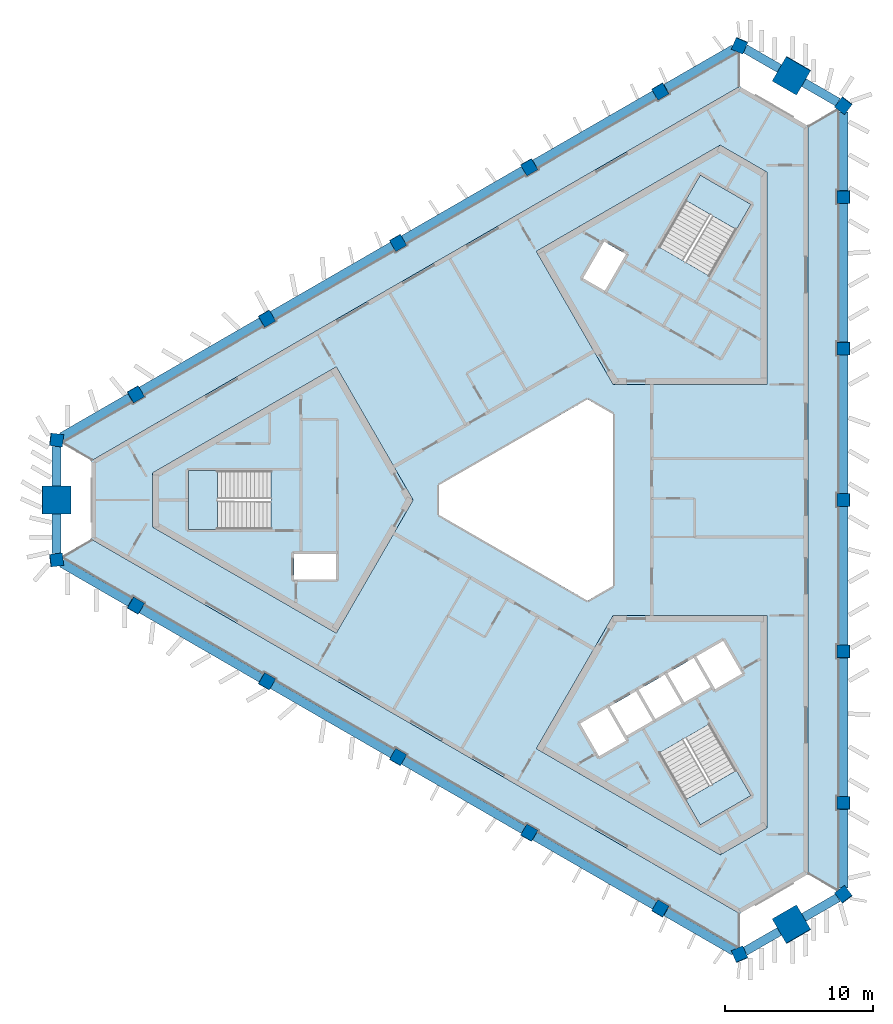
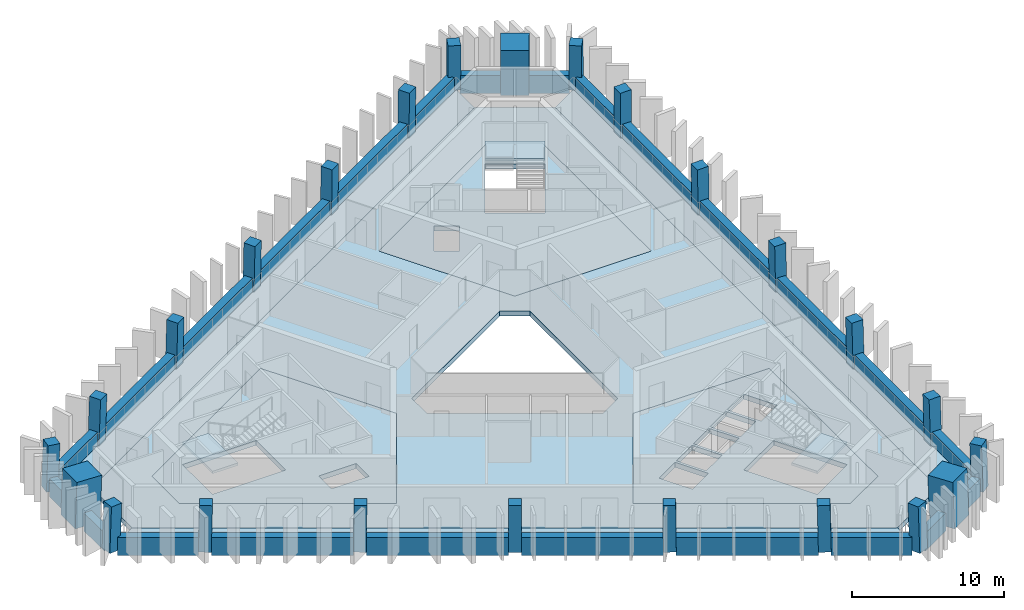
# One storey, part 1 of 9: 24 beams, 24 columns, 10 slabs, 3 elements without a shape of their own.
"""IFC4 building model written with IfcOpenShell, lengths in metres."""

from ifc_helpers import new_model, si_unit, direction, frame, origin, origin_2d, place, context, subcontext, project, spatial, polyline, rectangle, outline, extrude, material, layer, layer_set, material_profile, profile_set, type_object, element, aggregate, save


model = new_model("IFC4")

# Units and contexts
model_context = context("Model", 3, precision=1e-05, world=origin(), true_north=direction((0.0, 1.0)))
body_context = subcontext(model_context, "Body", "Model", "MODEL_VIEW")
ifc_project = project(units=[si_unit("LENGTHUNIT", "METRE"), si_unit("AREAUNIT", "SQUARE_METRE"), si_unit("VOLUMEUNIT", "CUBIC_METRE"), si_unit("PLANEANGLEUNIT", "RADIAN"), si_unit("MASSUNIT", "GRAM", prefix="KILO")], contexts=[model_context])

# Site, building, storey
site_placement = place(None, origin())
site = spatial("IfcSite", under=ifc_project, at=site_placement, CompositionType="ELEMENT")
building_placement = place(site_placement, origin())
building = spatial("IfcBuilding", under=site, at=building_placement, Name="Jabali Bay Hotel Tower and Convention Centre", CompositionType="ELEMENT")
storey_placement = place(building_placement, frame((0.0, 0.0, 228.0)))
storey = spatial("IfcBuildingStorey", under=building, at=storey_placement, Name="L56", CompositionType="ELEMENT", Elevation=228.0)

# Columns
ifc_material_1 = material(Name="Concrete C60", Category="concrete")
ifc_material_profile_1 = material_profile(ifc_material_1, rectangle(XDim=0.85009765625, YDim=0.85009765625, at=origin_2d()), Name="Frame column 850")
ifc_profile_set_1 = profile_set([ifc_material_profile_1], Name="Concrete C60")
column_type_1 = type_object("IfcColumnType", Name="Frame column 850", PredefinedType="COLUMN", material=ifc_profile_set_1)
column_1_placement = place(storey_placement, frame((82.68994140625, 107.594482421875, 0.0), z_axis=(-0.008376454378, -0.028163354484, 0.999568237028), x_axis=(0.865846453702, 0.49985452246, 0.021339517038)))
element("IfcColumn", 1, at=column_1_placement, inside=storey, type_object=column_type_1, Name="FC5 F1.1 L56", PredefinedType="COLUMN", context=body_context, shape_type="SweptSolid", body=[
    extrude(rectangle(XDim=0.85009765625, YDim=0.85009765625, at=origin_2d()), origin(), (0.0, 0.0, 1.0), 3.70166015625),
])
column_2_placement = place(storey_placement, frame((73.831787109375, 102.480224609375, 0.0), z_axis=(0.000857578916, -0.022824792675, 0.999739112668), x_axis=(0.866054521909, 0.499835716509, 0.010668719837)))
element("IfcColumn", 2, at=column_2_placement, inside=storey, type_object=column_type_1, Name="FC5 F1.2 L56", PredefinedType="COLUMN", context=body_context, shape_type="SweptSolid", body=[
    extrude(rectangle(XDim=0.85009765625, YDim=0.85009765625, at=origin_2d()), origin(), (0.0, 0.0, 1.0), 3.700927734375),
])
column_3_placement = place(storey_placement, frame((64.9736328125, 97.365966796875, 0.0), z_axis=(0.010093620709, -0.017482414954, 0.999796221231), x_axis=(-0.499891296978, 0.865852860014, 0.020187025823)))
element("IfcColumn", 3, at=column_3_placement, inside=storey, type_object=column_type_1, Name="FC5 F1.3 L56", PredefinedType="COLUMN", context=body_context, shape_type="SweptSolid", body=[
    extrude(rectangle(XDim=0.85009765625, YDim=0.85009765625, at=origin_2d()), origin(), (0.0, 0.0, 1.0), 3.70068359375),
])
column_4_placement = place(storey_placement, frame((56.11572265625, 92.251708984375, 0.0), z_axis=(0.019328516974, -0.012138044789, 0.999739504221), x_axis=(-0.500205614953, 0.865671455024, 0.020181048691)))
element("IfcColumn", 4, at=column_4_placement, inside=storey, type_object=column_type_1, Name="FC5 F1.4 L56", PredefinedType="COLUMN", context=body_context, shape_type="SweptSolid", body=[
    extrude(rectangle(XDim=0.85009765625, YDim=0.85009765625, at=origin_2d()), origin(), (0.0, 0.0, 1.0), 3.700927734375),
])
for number, where, z_axis, x_axis, name in (
    (5, (47.257568359375, 87.1376953125, 0.0), (0.028559101991, -0.006859460986, 0.999568569678), (-0.498515218099, 0.866645785643, 0.020190580742), "FC5 F1.5 L56"),
    (6, (47.257568359375, 72.8623046875, 0.0), (0.028559101991, 0.006859460986, 0.999568569678), (-0.866410384874, 0.498876768373, 0.021331079692), "FC5 F2.1 L56"),
):
    element("IfcColumn", number, at=place(storey_placement, frame(where, z_axis=z_axis, x_axis=x_axis)), inside=storey, type_object=column_type_1, Name=name, PredefinedType="COLUMN", context=body_context, shape_type="SweptSolid", body=[
        extrude(rectangle(XDim=0.85009765625, YDim=0.85009765625, at=origin_2d()), origin(), (0.0, 0.0, 1.0), 3.70166015625),
    ])
column_5_placement = place(storey_placement, frame((56.11572265625, 67.748291015625, 0.0), z_axis=(0.019328516974, 0.012138044789, 0.999739504221), x_axis=(-0.865690909737, 0.500465383244, 0.010660627254)))
element("IfcColumn", 7, at=column_5_placement, inside=storey, type_object=column_type_1, Name="FC5 F2.2 L56", PredefinedType="COLUMN", context=body_context, shape_type="SweptSolid", body=[
    extrude(rectangle(XDim=0.85009765625, YDim=0.85009765625, at=origin_2d()), origin(), (0.0, 0.0, 1.0), 3.700927734375),
])
column_6_placement = place(storey_placement, frame((64.9736328125, 62.634033203125, 0.0), z_axis=(0.010093620709, 0.017482414954, 0.999796221231), x_axis=(-0.866029335546, 0.499993189927, 2.83273e-07)))
element("IfcColumn", 8, at=column_6_placement, inside=storey, type_object=column_type_1, Name="FC5 F2.3 L56", PredefinedType="COLUMN", context=body_context, shape_type="SweptSolid", body=[
    extrude(rectangle(XDim=0.85009765625, YDim=0.85009765625, at=origin_2d()), origin(), (0.0, 0.0, 1.0), 3.70068359375),
])
column_7_placement = place(storey_placement, frame((73.831787109375, 57.519775390625, 0.0), z_axis=(0.000857578916, 0.022824792675, 0.999739112668), x_axis=(-0.499948827021, -0.865819429986, 0.020196163479)))
element("IfcColumn", 9, at=column_7_placement, inside=storey, type_object=column_type_1, Name="FC5 F2.4 L56", PredefinedType="COLUMN", context=body_context, shape_type="SweptSolid", body=[
    extrude(rectangle(XDim=0.85009765625, YDim=0.85009765625, at=origin_2d()), origin(), (0.0, 0.0, 1.0), 3.700927734375),
])
for number, where, z_axis, x_axis, name in (
    (10, (82.68994140625, 52.405517578125, 0.0), (-0.008376454378, 0.028163354484, 0.999568237028), (-0.500239696169, -0.865651362756, 0.020198132002), "FC5 F2.5 L56"),
    (11, (95.052490234375, 59.543212890625, 0.0), (-0.020182659751, 0.021303918626, 0.999569308901), (0.000228267203, -0.99977282903, 0.021312865295), "FC5 F0.1 L56"),
):
    element("IfcColumn", number, at=place(storey_placement, frame(where, z_axis=z_axis, x_axis=x_axis)), inside=storey, type_object=column_type_1, Name=name, PredefinedType="COLUMN", context=body_context, shape_type="SweptSolid", body=[
        extrude(rectangle(XDim=0.85009765625, YDim=0.85009765625, at=origin_2d()), origin(), (0.0, 0.0, 1.0), 3.70166015625),
    ])
column_8_placement = place(storey_placement, frame((95.052490234375, 69.771484375, 0.0), z_axis=(-0.020186088539, 0.010686752756, 0.999739123544), x_axis=(-0.001023376713, -0.999942568771, 0.010668264128)))
element("IfcColumn", 12, at=column_8_placement, inside=storey, type_object=column_type_1, Name="FC5 F0.2 L56", PredefinedType="COLUMN", context=body_context, shape_type="SweptSolid", body=[
    extrude(rectangle(XDim=0.85009765625, YDim=0.85009765625, at=origin_2d()), origin(), (0.0, 0.0, 1.0), 3.700927734375),
])
column_9_placement = place(storey_placement, frame((95.052490234375, 80.0, 0.0), z_axis=(-0.020187241331, 0.0, 0.99979621688), x_axis=(0.0, -1.0, 0.0)))
element("IfcColumn", 13, at=column_9_placement, inside=storey, type_object=column_type_1, Name="FC5 F0.3 L56", PredefinedType="COLUMN", context=body_context, shape_type="SweptSolid", body=[
    extrude(rectangle(XDim=0.85009765625, YDim=0.85009765625, at=origin_2d()), origin(), (0.0, 0.0, 1.0), 3.70068359375),
])
column_10_placement = place(storey_placement, frame((95.052490234375, 90.228515625, 0.0), z_axis=(-0.020186088539, -0.010686752756, 0.999739123544), x_axis=(0.999795716399, 0.000807759214, 0.020195865801)))
element("IfcColumn", 14, at=column_10_placement, inside=storey, type_object=column_type_1, Name="FC5 F0.4 L56", PredefinedType="COLUMN", context=body_context, shape_type="SweptSolid", body=[
    extrude(rectangle(XDim=0.85009765625, YDim=0.85009765625, at=origin_2d()), origin(), (0.0, 0.0, 1.0), 3.700927734375),
])
column_11_placement = place(storey_placement, frame((95.052490234375, 100.456787109375, 0.0), z_axis=(-0.020182659751, -0.021303918626, 0.999569308901), x_axis=(0.999796283319, -0.000658319199, 0.020173211851)))
element("IfcColumn", 15, at=column_11_placement, inside=storey, type_object=column_type_1, Name="FC5 F0.5 L56", PredefinedType="COLUMN", context=body_context, shape_type="SweptSolid", body=[
    extrude(rectangle(XDim=0.85009765625, YDim=0.85009765625, at=origin_2d()), origin(), (0.0, 0.0, 1.0), 3.70166015625),
])
for number, where, z_axis, x_axis, name in (
    (16, (95.052490234375, 53.361328125, 0.0), (-0.020178741915, 0.029015184452, 0.999375273581), (-0.79904700791, -0.601267102861, 0.001322939019), "FC5 V0 L56"),
    (17, (95.052490234375, 106.638671875, 0.0), (-0.020178741915, -0.029015184452, 0.999375273581), (0.600929860737, 0.798521126889, 0.035317310011), "FC5 V1 L56"),
    (18, (88.04345703125, 110.685302734375, 0.0), (-0.015035141917, -0.031982648376, 0.99937533225), (0.920271431083, -0.391278344003, 0.001323120386), "FC5 V2 L56"),
    (19, (41.904052734375, 84.046875, 0.0), (0.035213880193, -0.00303340541, 0.999375195356), (-0.991777132057, 0.123006715129, 0.03531951814), "FC5 V3 L56"),
    (20, (41.904052734375, 75.953125, 0.0), (0.035213880193, 0.00303340541, 0.999375195356), (-0.123036998379, 0.99240120238, 0.001323081612), "FC5 V4 L56"),
    (21, (88.04345703125, 49.314697265625, 0.0), (-0.015035141917, 0.031982648376, 0.99937533225), (0.390991608146, -0.919716460501, 0.035315643022), "FC5 V5 L56"),
):
    element("IfcColumn", number, at=place(storey_placement, frame(where, z_axis=z_axis, x_axis=x_axis)), inside=storey, type_object=column_type_1, Name=name, PredefinedType="COLUMN", context=body_context, shape_type="SweptSolid", body=[
        extrude(rectangle(XDim=0.85009765625, YDim=0.85009765625, at=origin_2d()), origin(), (0.0, 0.0, 1.0), 3.7021484375),
    ])
ifc_material_2 = material(Name="Concrete C70", Category="concrete")
ifc_material_profile_2 = material_profile(ifc_material_2, rectangle(XDim=1.89990234375, YDim=1.89990234375, at=origin_2d()), Name="Mega column 1900")
ifc_profile_set_2 = profile_set([ifc_material_profile_2], Name="Concrete C70")
column_type_2 = type_object("IfcColumnType", Name="Mega column 1900", PredefinedType="COLUMN", material=ifc_profile_set_2)
for number, where, z_axis, x_axis, name in (
    (22, (91.548095703125, 108.661865234375, 0.0), (-0.017607037296, -0.030466109479, 0.999380712447), (0.865812389079, -0.500368770925, 1.01334e-07), "MC5 M1 L56"),
    (23, (41.904052734375, 80.0, 0.0), (0.035214042205, 0.0, 0.999379793288), (0.0, 1.0, 0.0), "MC5 M0 L56"),
    (24, (91.548095703125, 51.338134765625, 0.0), (-0.017607037296, 0.030466109479, 0.999380712447), (0.500055571201, -0.865278125299, 0.035187946645), "MC5 M2 L56"),
):
    element("IfcColumn", number, at=place(storey_placement, frame(where, z_axis=z_axis, x_axis=x_axis)), inside=storey, type_object=column_type_2, Name=name, PredefinedType="COLUMN", context=body_context, shape_type="SweptSolid", body=[
        extrude(rectangle(XDim=1.89990234375, YDim=1.89990234375, at=origin_2d()), origin(), (0.0, 0.0, 1.0), 3.7021484375),
    ])

# Beams
ifc_material_profile_3 = material_profile(ifc_material_1, rectangle(XDim=0.60009765625, YDim=1.449951171875, at=origin_2d()), Name="Spandrel 600x1450")
ifc_profile_set_3 = profile_set([ifc_material_profile_3], Name="Concrete C60")
beam_type = type_object("IfcBeamType", Name="Spandrel 600x1450", PredefinedType="SPANDREL", material=ifc_profile_set_3)
beam_1_placement = place(storey_placement, frame((90.71875, 109.12548828125, 0.375), z_axis=(-0.866018138487, 0.500012583653, 0.0), x_axis=(-0.500012583653, -0.866018138487, 0.0)))
element("IfcBeam", 25, at=beam_1_placement, inside=storey, type_object=beam_type, Name="Spandrel M1-V2 L56", PredefinedType="SPANDREL", context=body_context, shape_type="SweptSolid", body=[
    extrude(rectangle(XDim=0.60009765625, YDim=1.449951171875, at=origin_2d()), origin(), (0.0, 0.0, 1.0), 2.6708984375),
])
beam_2_placement = place(storey_placement, frame((87.669677734375, 110.4609375, 0.375), z_axis=(-0.866007048156, -0.500031791534, 0.0), x_axis=(0.500031791534, -0.866007048156, 0.0)))
element("IfcBeam", 26, at=beam_2_placement, inside=storey, type_object=beam_type, Name="Spandrel V2-F1.1 L56", PredefinedType="SPANDREL", context=body_context, shape_type="SweptSolid", body=[
    extrude(rectangle(XDim=0.60009765625, YDim=1.449951171875, at=origin_2d()), origin(), (0.0, 0.0, 1.0), 5.328857421875),
])
beam_3_placement = place(storey_placement, frame((82.318603515625, 107.371337890625, 0.375), z_axis=(-0.866032491477, -0.499987723555, 0.0), x_axis=(0.499987723555, -0.866032491477, 0.0)))
element("IfcBeam", 27, at=beam_3_placement, inside=storey, type_object=beam_type, Name="Spandrel F1.1-F1.2 L56", PredefinedType="SPANDREL", context=body_context, shape_type="SweptSolid", body=[
    extrude(rectangle(XDim=0.60009765625, YDim=1.449951171875, at=origin_2d()), origin(), (0.0, 0.0, 1.0), 9.374267578125),
])
beam_4_placement = place(storey_placement, frame((73.464111328125, 102.25927734375, 0.375), z_axis=(-0.866027725137, -0.499995979278, 0.0), x_axis=(0.499995979278, -0.866027725137, 0.0)))
element("IfcBeam", 28, at=beam_4_placement, inside=storey, type_object=beam_type, Name="Spandrel F1.2-F1.3 L56", PredefinedType="SPANDREL", context=body_context, shape_type="SweptSolid", body=[
    extrude(rectangle(XDim=0.60009765625, YDim=1.449951171875, at=origin_2d()), origin(), (0.0, 0.0, 1.0), 9.37451171875),
])
beam_5_placement = place(storey_placement, frame((64.609375, 97.14697265625, 0.375), z_axis=(-0.866021214318, -0.500007256298, 0.0), x_axis=(0.500007256298, -0.866021214318, 0.0)))
element("IfcBeam", 29, at=beam_5_placement, inside=storey, type_object=beam_type, Name="Spandrel F1.3-F1.4 L56", PredefinedType="SPANDREL", context=body_context, shape_type="SweptSolid", body=[
    extrude(rectangle(XDim=0.60009765625, YDim=1.449951171875, at=origin_2d()), origin(), (0.0, 0.0, 1.0), 9.374267578125),
])
beam_6_placement = place(storey_placement, frame((55.7548828125, 92.03466796875, 0.375), z_axis=(-0.866039001872, -0.499976446681, 0.0), x_axis=(0.499976446681, -0.866039001872, 0.0)))
element("IfcBeam", 30, at=beam_6_placement, inside=storey, type_object=beam_type, Name="Spandrel F1.4-F1.5 L56", PredefinedType="SPANDREL", context=body_context, shape_type="SweptSolid", body=[
    extrude(rectangle(XDim=0.60009765625, YDim=1.449951171875, at=origin_2d()), origin(), (0.0, 0.0, 1.0), 9.37451171875),
])
beam_7_placement = place(storey_placement, frame((46.900146484375, 86.922607421875, 0.375), z_axis=(-0.866007048156, -0.500031791534, 0.0), x_axis=(0.500031791534, -0.866007048156, 0.0)))
element("IfcBeam", 31, at=beam_7_placement, inside=storey, type_object=beam_type, Name="Spandrel F1.5-V3 L56", PredefinedType="SPANDREL", context=body_context, shape_type="SweptSolid", body=[
    extrude(rectangle(XDim=0.60009765625, YDim=1.449951171875, at=origin_2d()), origin(), (0.0, 0.0, 1.0), 5.328857421875),
])
for number, where, z_axis, x_axis, name in (
    (32, (41.917236328125, 83.62060546875, 0.375), (0.0, -1.0, 0.0), (1.0, 0.0, 0.0), "Spandrel V3-M0 L56"),
    (33, (41.917236328125, 79.050048828125, 0.375), (0.0, -1.0, 0.0), (1.0, 0.0, 0.0), "Spandrel M0-V4 L56"),
):
    element("IfcBeam", number, at=place(storey_placement, frame(where, z_axis=z_axis, x_axis=x_axis)), inside=storey, type_object=beam_type, Name=name, PredefinedType="SPANDREL", context=body_context, shape_type="SweptSolid", body=[
        extrude(rectangle(XDim=0.60009765625, YDim=1.449951171875, at=origin_2d()), origin(), (0.0, 0.0, 1.0), 2.670654296875),
    ])
beam_8_placement = place(storey_placement, frame((42.285400390625, 75.741943359375, 0.375), z_axis=(0.866007048156, -0.500031791534, 0.0), x_axis=(0.500031791534, 0.866007048156, 0.0)))
element("IfcBeam", 34, at=beam_8_placement, inside=storey, type_object=beam_type, Name="Spandrel V4-F2.1 L56", PredefinedType="SPANDREL", context=body_context, shape_type="SweptSolid", body=[
    extrude(rectangle(XDim=0.60009765625, YDim=1.449951171875, at=origin_2d()), origin(), (0.0, 0.0, 1.0), 5.328857421875),
])
beam_9_placement = place(storey_placement, frame((47.63623046875, 72.65234375, 0.375), z_axis=(0.866039001872, -0.499976446681, 0.0), x_axis=(0.499976446681, 0.866039001872, 0.0)))
element("IfcBeam", 35, at=beam_9_placement, inside=storey, type_object=beam_type, Name="Spandrel F2.1-F2.2 L56", PredefinedType="SPANDREL", context=body_context, shape_type="SweptSolid", body=[
    extrude(rectangle(XDim=0.60009765625, YDim=1.449951171875, at=origin_2d()), origin(), (0.0, 0.0, 1.0), 9.37451171875),
])
beam_10_placement = place(storey_placement, frame((56.490966796875, 67.540283203125, 0.375), z_axis=(0.866021214318, -0.500007256298, 0.0), x_axis=(0.500007256298, 0.866021214318, 0.0)))
element("IfcBeam", 36, at=beam_10_placement, inside=storey, type_object=beam_type, Name="Spandrel F2.2-F2.3 L56", PredefinedType="SPANDREL", context=body_context, shape_type="SweptSolid", body=[
    extrude(rectangle(XDim=0.60009765625, YDim=1.449951171875, at=origin_2d()), origin(), (0.0, 0.0, 1.0), 9.374267578125),
])
beam_11_placement = place(storey_placement, frame((65.345458984375, 62.427978515625, 0.375), z_axis=(0.866027725137, -0.499995979278, 0.0), x_axis=(0.499995979278, 0.866027725137, 0.0)))
element("IfcBeam", 37, at=beam_11_placement, inside=storey, type_object=beam_type, Name="Spandrel F2.3-F2.4 L56", PredefinedType="SPANDREL", context=body_context, shape_type="SweptSolid", body=[
    extrude(rectangle(XDim=0.60009765625, YDim=1.449951171875, at=origin_2d()), origin(), (0.0, 0.0, 1.0), 9.37451171875),
])
beam_12_placement = place(storey_placement, frame((74.2001953125, 57.315673828125, 0.375), z_axis=(0.866032491477, -0.499987723555, 0.0), x_axis=(0.499987723555, 0.866032491477, 0.0)))
element("IfcBeam", 38, at=beam_12_placement, inside=storey, type_object=beam_type, Name="Spandrel F2.4-F2.5 L56", PredefinedType="SPANDREL", context=body_context, shape_type="SweptSolid", body=[
    extrude(rectangle(XDim=0.60009765625, YDim=1.449951171875, at=origin_2d()), origin(), (0.0, 0.0, 1.0), 9.374267578125),
])
beam_13_placement = place(storey_placement, frame((83.054931640625, 52.20361328125, 0.375), z_axis=(0.866007048156, -0.500031791534, 0.0), x_axis=(0.500031791534, 0.866007048156, 0.0)))
element("IfcBeam", 39, at=beam_13_placement, inside=storey, type_object=beam_type, Name="Spandrel F2.5-V5 L56", PredefinedType="SPANDREL", context=body_context, shape_type="SweptSolid", body=[
    extrude(rectangle(XDim=0.60009765625, YDim=1.449951171875, at=origin_2d()), origin(), (0.0, 0.0, 1.0), 5.328857421875),
])
for number, where, z_axis, x_axis, name in (
    (40, (88.40576171875, 49.5390625, 0.375), (0.866018138487, 0.500012583653, 0.0), (-0.500012583653, 0.866018138487, 0.0), "Spandrel V5-M2 L56"),
    (41, (92.364013671875, 51.824462890625, 0.375), (0.866018138487, 0.500012583653, 0.0), (-0.500012583653, 0.866018138487, 0.0), "Spandrel M2-V0 L56"),
):
    element("IfcBeam", number, at=place(storey_placement, frame(where, z_axis=z_axis, x_axis=x_axis)), inside=storey, type_object=beam_type, Name=name, PredefinedType="SPANDREL", context=body_context, shape_type="SweptSolid", body=[
        extrude(rectangle(XDim=0.60009765625, YDim=1.449951171875, at=origin_2d()), origin(), (0.0, 0.0, 1.0), 2.6708984375),
    ])
beam_14_placement = place(storey_placement, frame((95.044921875, 53.79736328125, 0.375), z_axis=(0.0, 1.0, 0.0), x_axis=(-1.0, 0.0, 0.0)))
element("IfcBeam", 42, at=beam_14_placement, inside=storey, type_object=beam_type, Name="Spandrel V0-F0.1 L56", PredefinedType="SPANDREL", context=body_context, shape_type="SweptSolid", body=[
    extrude(rectangle(XDim=0.60009765625, YDim=1.449951171875, at=origin_2d()), origin(), (0.0, 0.0, 1.0), 5.328857421875),
])
for number, where, z_axis, x_axis, name in (
    (43, (95.044921875, 59.97607421875, 0.375), (0.0, 1.0, 0.0), (-1.0, 0.0, 0.0), "Spandrel F0.1-F0.2 L56"),
    (44, (95.044921875, 70.200439453125, 0.375), (0.0, 1.0, 0.0), (-1.0, 0.0, 0.0), "Spandrel F0.2-F0.3 L56"),
    (45, (95.044921875, 80.425048828125, 0.375), (0.0, 1.0, 0.0), (-1.0, 0.0, 0.0), "Spandrel F0.3-F0.4 L56"),
    (46, (95.044921875, 90.6494140625, 0.375), (0.0, 1.0, 0.0), (-1.0, 0.0, 0.0), "Spandrel F0.4-F0.5 L56"),
):
    element("IfcBeam", number, at=place(storey_placement, frame(where, z_axis=z_axis, x_axis=x_axis)), inside=storey, type_object=beam_type, Name=name, PredefinedType="SPANDREL", context=body_context, shape_type="SweptSolid", body=[
        extrude(rectangle(XDim=0.60009765625, YDim=1.449951171875, at=origin_2d()), origin(), (0.0, 0.0, 1.0), 9.37451171875),
    ])
beam_15_placement = place(storey_placement, frame((95.044921875, 100.873779296875, 0.375), z_axis=(0.0, 1.0, 0.0), x_axis=(-1.0, 0.0, 0.0)))
element("IfcBeam", 47, at=beam_15_placement, inside=storey, type_object=beam_type, Name="Spandrel F0.5-V1 L56", PredefinedType="SPANDREL", context=body_context, shape_type="SweptSolid", body=[
    extrude(rectangle(XDim=0.60009765625, YDim=1.449951171875, at=origin_2d()), origin(), (0.0, 0.0, 1.0), 5.328857421875),
])
beam_16_placement = place(storey_placement, frame((94.677001953125, 106.840087890625, 0.375), z_axis=(-0.866018138487, 0.500012583653, 0.0), x_axis=(-0.500012583653, -0.866018138487, 0.0)))
element("IfcBeam", 48, at=beam_16_placement, inside=storey, type_object=beam_type, Name="Spandrel V1-M1 L56", PredefinedType="SPANDREL", context=body_context, shape_type="SweptSolid", body=[
    extrude(rectangle(XDim=0.60009765625, YDim=1.449951171875, at=origin_2d()), origin(), (0.0, 0.0, 1.0), 2.6708984375),
])

# Slabs
ifc_material_3 = material(Name="Concrete C40", Category="concrete")
ifc_layer_1 = layer(ifc_material_3, 0.39990234375)
ifc_layer_set_1 = layer_set([ifc_layer_1], Name="Concrete C40")
slab_type_1 = type_object("IfcSlabType", Name="Core floor slab 400", PredefinedType="FLOOR", material=ifc_layer_set_1)
slab_1_placement = place(storey_placement, frame((0.0, 0.0, -0.39990234375)))
element("IfcSlab", 49, at=slab_1_placement, inside=storey, type_object=slab_type_1, Name="Core floor slab 1 L56", PredefinedType="FLOOR", context=body_context, shape_type="SweptSolid", body=[
    extrude(outline(polyline([(66.0, 80.0), (60.81005859375, 88.9892578125), (48.39697265625, 81.82275390625), (48.39697265625, 78.17724609375), (60.81005859375, 71.0107421875), (66.0, 80.0)]), holes=[polyline([(60.800048828125, 76.35009765625), (57.949951171875, 76.35009765625), (57.949951171875, 74.64990234375), (60.800048828125, 74.64990234375), (60.800048828125, 76.35009765625)]), polyline([(50.820068359375, 81.97509765625), (50.820068359375, 78.02490234375), (56.409912109375, 78.02490234375), (56.409912109375, 81.97509765625), (50.820068359375, 81.97509765625)])]), origin(), (0.0, 0.0, 1.0), 0.39990234375),
])
slab_2_placement = place(storey_placement, frame((0.0, 0.0, -0.39990234375)))
element("IfcSlab", 50, at=slab_2_placement, inside=storey, type_object=slab_type_1, Name="Core floor slab 2 L56", PredefinedType="FLOOR", context=body_context, shape_type="SweptSolid", body=[
    extrude(outline(polyline([(79.5, 87.794189453125), (89.8798828125, 87.794189453125), (89.8798828125, 102.127685546875), (86.72314453125, 103.9501953125), (74.31005859375, 96.78369140625), (79.5, 87.794189453125)]), holes=[polyline([(78.93896484375, 94.12255859375), (80.364013671875, 96.5908203125), (78.891845703125, 97.440673828125), (77.466796875, 94.97265625), (78.93896484375, 94.12255859375)]), polyline([(88.80029296875, 99.952880859375), (85.379638671875, 101.927978515625), (82.584716796875, 97.0869140625), (86.00537109375, 95.11181640625), (88.80029296875, 99.952880859375)])]), origin(), (0.0, 0.0, 1.0), 0.39990234375),
])
slab_3_placement = place(storey_placement, frame((0.0, 0.0, -0.39990234375)))
element("IfcSlab", 51, at=slab_3_placement, inside=storey, type_object=slab_type_1, Name="Core floor slab 3 L56", PredefinedType="FLOOR", context=body_context, shape_type="SweptSolid", body=[
    extrude(outline(polyline([(79.5, 72.205810546875), (74.31005859375, 63.21630859375), (86.72314453125, 56.0498046875), (89.8798828125, 57.872314453125), (89.8798828125, 72.205810546875), (79.5, 72.205810546875)]), holes=[polyline([(82.584716796875, 62.9130859375), (85.379638671875, 58.072021484375), (88.80029296875, 60.047119140625), (86.00537109375, 64.88818359375), (82.584716796875, 62.9130859375)]), polyline([(80.365478515625, 63.756591796875), (79.090576171875, 65.96484375), (77.27197265625, 64.9150390625), (78.546875, 62.70654296875), (80.365478515625, 63.756591796875)]), polyline([(82.17919921875, 65.115478515625), (81.0390625, 67.08984375), (79.263671875, 66.06494140625), (80.40380859375, 64.09033203125), (82.17919921875, 65.115478515625)]), polyline([(82.98779296875, 68.21484375), (81.21240234375, 67.18994140625), (82.352294921875, 65.21533203125), (84.127685546875, 66.240478515625), (82.98779296875, 68.21484375)]), polyline([(86.076171875, 67.365478515625), (84.936279296875, 69.33984375), (83.160888671875, 68.31494140625), (84.30078125, 66.34033203125), (86.076171875, 67.365478515625)]), polyline([(88.203125, 68.281494140625), (86.927978515625, 70.489990234375), (85.109375, 69.43994140625), (86.384521484375, 67.231689453125), (88.203125, 68.281494140625)])]), origin(), (0.0, 0.0, 1.0), 0.39990234375),
])
ifc_layer_2 = layer(ifc_material_3, 0.199951171875)
ifc_layer_set_2 = layer_set([ifc_layer_2], Name="Concrete C40")
slab_type_2 = type_object("IfcSlabType", Name="Loggia slab 200", PredefinedType="FLOOR", material=ifc_layer_set_2)
slab_4_placement = place(storey_placement, frame((0.0, 0.0, -0.199951171875)))
element("IfcSlab", 52, at=slab_4_placement, inside=storey, type_object=slab_type_2, Name="Loggia slab east face L56", PredefinedType="FLOOR", context=body_context, shape_type="SweptSolid", body=[
    extrude(outline(polyline([(92.652587890625, 105.2529296875), (94.652587890625, 106.40771484375), (94.752685546875, 106.33251953125), (94.752685546875, 100.8818359375), (94.627685546875, 100.8818359375), (94.627685546875, 100.031982421875), (94.752685546875, 100.031982421875), (94.752685546875, 90.653564453125), (94.627685546875, 90.653564453125), (94.627685546875, 89.803466796875), (94.752685546875, 89.803466796875), (94.752685546875, 80.425048828125), (94.627685546875, 80.425048828125), (94.627685546875, 79.574951171875), (94.752685546875, 79.574951171875), (94.752685546875, 70.196533203125), (94.627685546875, 70.196533203125), (94.627685546875, 69.346435546875), (94.752685546875, 69.346435546875), (94.752685546875, 59.968017578125), (94.627685546875, 59.968017578125), (94.627685546875, 59.1181640625), (94.752685546875, 59.1181640625), (94.752685546875, 53.66748046875), (94.652587890625, 53.59228515625), (92.652587890625, 54.7470703125), (92.652587890625, 105.2529296875)])), origin(), (0.0, 0.0, 1.0), 0.199951171875),
])
slab_5_placement = place(storey_placement, frame((0.0, 0.0, -0.199951171875)))
element("IfcSlab", 53, at=slab_5_placement, inside=storey, type_object=slab_type_2, Name="Loggia slab north-west face L56", PredefinedType="FLOOR", context=body_context, shape_type="SweptSolid", body=[
    extrude(outline(polyline([(44.303955078125, 82.6611328125), (42.303955078125, 83.81591796875), (42.319091796875, 83.93994140625), (47.03955078125, 86.665283203125), (47.10205078125, 86.55712890625), (47.838134765625, 86.98193359375), (47.775634765625, 87.09033203125), (55.8974609375, 91.779541015625), (55.9599609375, 91.67138671875), (56.6962890625, 92.09619140625), (56.6337890625, 92.20458984375), (64.755615234375, 96.893798828125), (64.818115234375, 96.785400390625), (65.55419921875, 97.21044921875), (65.49169921875, 97.31884765625), (73.61376953125, 102.008056640625), (73.67626953125, 101.899658203125), (74.412353515625, 102.32470703125), (74.349853515625, 102.432861328125), (82.471923828125, 107.1220703125), (82.534423828125, 107.013916015625), (83.2705078125, 107.43896484375), (83.2080078125, 107.547119140625), (87.92822265625, 110.2724609375), (88.04345703125, 110.2236328125), (88.04345703125, 107.9140625), (44.303955078125, 82.6611328125)])), origin(), (0.0, 0.0, 1.0), 0.199951171875),
])
slab_6_placement = place(storey_placement, frame((0.0, 0.0, -0.199951171875)))
element("IfcSlab", 54, at=slab_6_placement, inside=storey, type_object=slab_type_2, Name="Loggia slab south-west face L56", PredefinedType="FLOOR", context=body_context, shape_type="SweptSolid", body=[
    extrude(outline(polyline([(88.04345703125, 52.0859375), (88.04345703125, 49.7763671875), (87.92822265625, 49.7275390625), (83.2080078125, 52.452880859375), (83.2705078125, 52.56103515625), (82.534423828125, 52.986083984375), (82.471923828125, 52.8779296875), (74.349853515625, 57.567138671875), (74.412353515625, 57.67529296875), (73.67626953125, 58.100341796875), (73.61376953125, 57.991943359375), (65.49169921875, 62.68115234375), (65.55419921875, 62.78955078125), (64.818115234375, 63.214599609375), (64.755615234375, 63.106201171875), (56.6337890625, 67.79541015625), (56.6962890625, 67.90380859375), (55.9599609375, 68.32861328125), (55.8974609375, 68.220458984375), (47.775634765625, 72.90966796875), (47.838134765625, 73.01806640625), (47.10205078125, 73.44287109375), (47.03955078125, 73.334716796875), (42.319091796875, 76.06005859375), (42.303955078125, 76.18408203125), (44.303955078125, 77.3388671875), (88.04345703125, 52.0859375)])), origin(), (0.0, 0.0, 1.0), 0.199951171875),
])
ifc_layer_3 = layer(ifc_material_3, 0.39990234375)
ifc_layer_set_3 = layer_set([ifc_layer_3], Name="Concrete C40")
slab_type_3 = type_object("IfcSlabType", Name="Post-tensioned flat slab 400", PredefinedType="FLOOR", material=ifc_layer_set_3)
slab_7_placement = place(storey_placement, frame((0.0, 0.0, -0.39990234375)))
element("IfcSlab", 55, at=slab_7_placement, inside=storey, type_object=slab_type_3, Name="Floor slab L56", PredefinedType="FLOOR", context=body_context, shape_type="SweptSolid", body=[
    extrude(outline(polyline([(88.04345703125, 107.9140625), (92.652587890625, 105.2529296875), (92.652587890625, 54.7470703125), (88.04345703125, 52.0859375), (44.303955078125, 77.3388671875), (44.303955078125, 82.6611328125), (88.04345703125, 107.9140625)]), holes=[polyline([(67.73193359375, 79.0), (77.76806640625, 73.205810546875), (79.5, 74.205810546875), (79.5, 85.794189453125), (77.76806640625, 86.794189453125), (67.73193359375, 81.0), (67.73193359375, 79.0)]), polyline([(48.39697265625, 78.17724609375), (60.81005859375, 71.0107421875), (66.0, 80.0), (60.81005859375, 88.9892578125), (48.39697265625, 81.82275390625), (48.39697265625, 78.17724609375)]), polyline([(89.8798828125, 102.127685546875), (86.72314453125, 103.9501953125), (74.31005859375, 96.78369140625), (79.5, 87.794189453125), (89.8798828125, 87.794189453125), (89.8798828125, 102.127685546875)]), polyline([(74.31005859375, 63.21630859375), (86.72314453125, 56.0498046875), (89.8798828125, 57.872314453125), (89.8798828125, 72.205810546875), (79.5, 72.205810546875), (74.31005859375, 63.21630859375)])]), origin(), (0.0, 0.0, 1.0), 0.39990234375),
])

# Stair, slab
stair_type = type_object("IfcStairType", Name="Exit stair 1900", PredefinedType="HALF_TURN_STAIR", material=ifc_material_3)
stair_1_placement = place(storey_placement, origin())
stair_1 = element("IfcStair", 56, at=stair_1_placement, inside=storey, type_object=stair_type, Name="L56 Exit Stair 1", PredefinedType="HALF_TURN_STAIR")
ifc_layer_4 = layer(ifc_material_3, 0.199951171875)
ifc_layer_set_4 = layer_set([ifc_layer_4], Name="Concrete C40")
slab_type_4 = type_object("IfcSlabType", Name="Stair landing 200", PredefinedType="LANDING", material=ifc_layer_set_4)
slab_8_placement = place(storey_placement, frame((0.0, 0.0, 1.64990234375)))
slab_8 = element("IfcSlab", 57, at=slab_8_placement, type_object=slab_type_4, Name="ST1 landing 1", PredefinedType="LANDING", context=body_context, shape_type="SweptSolid", body=[
    extrude(outline(polyline([(52.782958984375, 81.97509765625), (50.820068359375, 81.97509765625), (50.820068359375, 78.02490234375), (52.782958984375, 78.02490234375), (52.782958984375, 81.97509765625)])), origin(), (0.0, 0.0, 1.0), 0.2001953125),
])
aggregate(stair_1, [slab_8])

stair_2_placement = place(storey_placement, origin())
stair_2 = element("IfcStair", 58, at=stair_2_placement, inside=storey, type_object=stair_type, Name="L56 Exit Stair 2", PredefinedType="HALF_TURN_STAIR")
slab_9_placement = place(storey_placement, frame((0.0, 0.0, 1.64990234375)))
slab_9 = element("IfcSlab", 59, at=slab_9_placement, type_object=slab_type_4, Name="ST2 landing 1", PredefinedType="LANDING", context=body_context, shape_type="SweptSolid", body=[
    extrude(outline(polyline([(87.81884765625, 98.2529296875), (88.80029296875, 99.952880859375), (85.379638671875, 101.927978515625), (84.398193359375, 100.22802734375), (87.81884765625, 98.2529296875)])), origin(), (0.0, 0.0, 1.0), 0.2001953125),
])
aggregate(stair_2, [slab_9])

stair_3_placement = place(storey_placement, origin())
stair_3 = element("IfcStair", 60, at=stair_3_placement, inside=storey, type_object=stair_type, Name="L56 Exit Stair 3", PredefinedType="HALF_TURN_STAIR")
slab_10_placement = place(storey_placement, frame((0.0, 0.0, 1.64990234375)))
slab_10 = element("IfcSlab", 61, at=slab_10_placement, type_object=slab_type_4, Name="ST3 landing 1", PredefinedType="LANDING", context=body_context, shape_type="SweptSolid", body=[
    extrude(outline(polyline([(84.398193359375, 59.77197265625), (85.379638671875, 58.072021484375), (88.80029296875, 60.047119140625), (87.81884765625, 61.7470703125), (84.398193359375, 59.77197265625)])), origin(), (0.0, 0.0, 1.0), 0.2001953125),
])
aggregate(stair_3, [slab_10])

save(model, "model.ifc")
